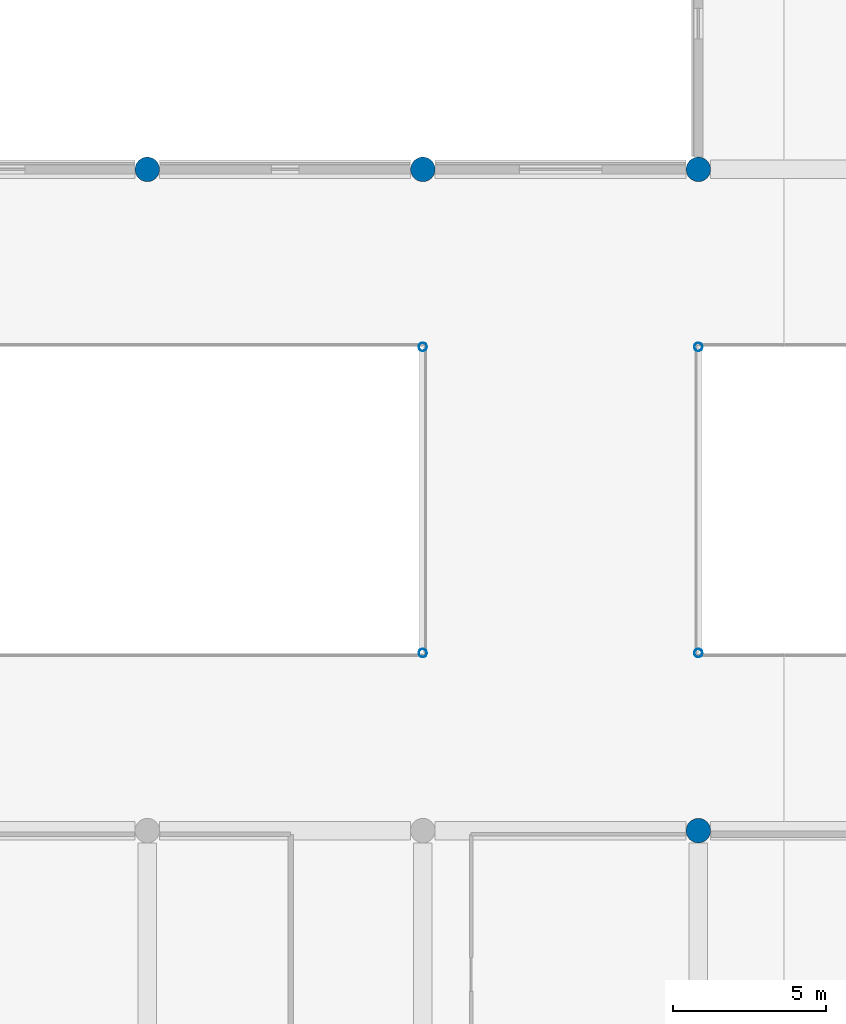
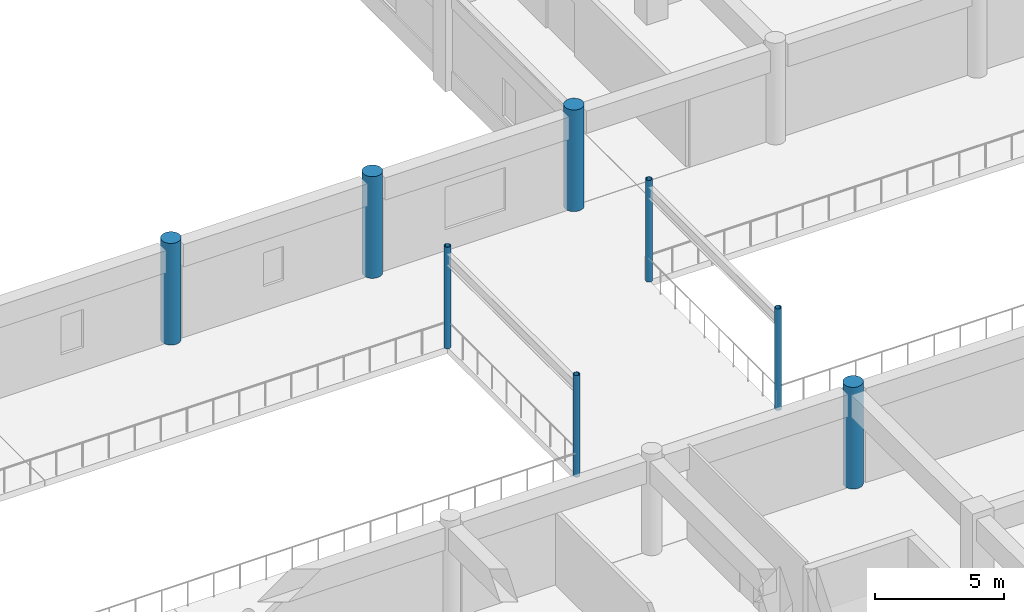
# One storey, part 2 of 86: 8 columns.
"""IFC4 building model written with IfcOpenShell, lengths in metres."""

import ifcopenshell
import ifcopenshell.guid

model = None  # the IFC model being written
_history = None  # IfcOwnerHistory: only IFC2X3 demands one
_inside = {}  # id of a spatial element -> (the spatial element, [elements in it])
_under = {}  # id of a project, library or spatial element -> (it, [spatial elements below it])
_declared = {}  # id of a project -> (the project, [libraries it declares])
_typed = {}  # id of a type object -> (the type object, [elements of that type])
_made_of = {}  # id of a material, layer set ... -> (it, [elements and type objects made of it])


def new_model(schema):
    """Start an empty IFC model of exactly this schema.

    Asked for "IFC4X3", IfcOpenShell would pick the latest addendum, in which some entities
    have other attributes; the version numbers below select the first issue.
    IFC2X3 requires an IfcOwnerHistory on every rooted entity: one is made here for all.
    """
    global model, _history
    if schema == "IFC4X3":
        model = ifcopenshell.file(schema_version=(4, 3, 0, 0))
    else:
        model = ifcopenshell.file(schema=schema)
    _inside.clear()
    _under.clear()
    _declared.clear()
    _typed.clear()
    _made_of.clear()
    _history = None
    if model.schema == "IFC2X3":
        org = make("IfcOrganization", Name="unknown")
        user = make(
            "IfcPersonAndOrganization",
            ThePerson=make("IfcPerson", FamilyName="unknown"),
            TheOrganization=org,
        )
        app = make(
            "IfcApplication",
            ApplicationDeveloper=org,
            Version="unknown",
            ApplicationFullName="unknown",
            ApplicationIdentifier="unknown",
        )
        _history = make(
            "IfcOwnerHistory",
            OwningUser=user,
            OwningApplication=app,
            ChangeAction="ADDED",
            CreationDate=0,
        )
    return model


def make(cls, **values):
    """One entity of the class cls with the attributes given. An attribute that is None is left unset."""
    return model.create_entity(
        cls, **{name: value for name, value in values.items() if value is not None}
    )


def rooted(cls, **values):
    """An entity with a GlobalId (a new one), such as an element, a storey or a relation."""
    return make(cls, GlobalId=ifcopenshell.guid.new(), OwnerHistory=_history, **values)


def si_unit(unit_type, name, prefix=None):
    """IfcSIUnit, for example si_unit("LENGTHUNIT", "METRE", prefix="MILLI")."""
    return make("IfcSIUnit", UnitType=unit_type, Prefix=prefix, Name=name)


def assignment(units):
    """IfcUnitAssignment: the units of a project."""
    return None if units is None else make("IfcUnitAssignment", Units=units)


def point(xyz):
    """IfcCartesianPoint."""
    return None if xyz is None else make("IfcCartesianPoint", Coordinates=xyz)


def direction(xyz):
    """IfcDirection."""
    return None if xyz is None else make("IfcDirection", DirectionRatios=xyz)


def frame(location, z_axis=None, x_axis=None):
    """IfcAxis2Placement3D, a coordinate frame: its origin and axes. An axis left out is left unset."""
    return make(
        "IfcAxis2Placement3D",
        Location=point(location),
        Axis=direction(z_axis),
        RefDirection=direction(x_axis),
    )


def frame_2d(location, x_axis=None):
    """IfcAxis2Placement2D, a coordinate frame in the plane: its origin and x axis."""
    return make(
        "IfcAxis2Placement2D", Location=point(location), RefDirection=direction(x_axis)
    )


def origin():
    """The frame at (0, 0, 0) with its axes left unset."""
    return frame((0.0, 0.0, 0.0))


def origin_2d():
    """The frame at (0, 0) in the plane with its x axis left unset."""
    return frame_2d((0.0, 0.0))


def place(relative_to, where):
    """IfcLocalPlacement: puts the frame where relative to a parent placement (None: the world)."""
    return make(
        "IfcLocalPlacement", PlacementRelTo=relative_to, RelativePlacement=where
    )


def context(
    kind, dimensions, precision=None, world=None, true_north=None, identifier=None
):
    """IfcGeometricRepresentationContext, for example the 3D "Model" context."""
    return make(
        "IfcGeometricRepresentationContext",
        ContextIdentifier=identifier,
        ContextType=kind,
        CoordinateSpaceDimension=dimensions,
        Precision=precision,
        WorldCoordinateSystem=world,
        TrueNorth=true_north,
    )


def subcontext(parent, identifier, kind, view, scale=None):
    """IfcGeometricRepresentationSubContext, for example "Body" below "Model"."""
    return make(
        "IfcGeometricRepresentationSubContext",
        ContextIdentifier=identifier,
        ContextType=kind,
        ParentContext=parent,
        TargetScale=scale,
        TargetView=view,
    )


def project(units=None, contexts=None):
    """IfcProject with its units and contexts."""
    return rooted(
        "IfcProject",
        Name="project",
        RepresentationContexts=contexts,
        UnitsInContext=assignment(units),
    )


def spatial(cls, under=None, at=None, **own):
    """A site, building, storey or space (cls), placed at a placement, below another one or the project."""
    s = rooted(cls, ObjectPlacement=at, **own)
    if under is not None:
        _under.setdefault(under.id(), (under, []))[1].append(s)
    return s


def profile(cls, at=None, kind="AREA", **sizes):
    """A parametric profile (cls). Its sizes go by their IFC names, for example OverallWidth=200.0."""
    return make(cls, ProfileType=kind, Position=at, **sizes)


def circle(**sizes):
    """IfcCircleProfileDef."""
    return profile("IfcCircleProfileDef", **sizes)


def hollow_circle(**sizes):
    """IfcCircleHollowProfileDef."""
    return profile("IfcCircleHollowProfileDef", **sizes)


def extrude(swept, where, along, depth):
    """IfcExtrudedAreaSolid: the profile swept, set in the frame where, extruded along a direction by depth."""
    return make(
        "IfcExtrudedAreaSolid",
        SweptArea=swept,
        Position=where,
        ExtrudedDirection=direction(along),
        Depth=depth,
    )


def shape(context_of_items, identifier, shape_type, items):
    """IfcShapeRepresentation: the items that make up one representation, for example the "Body"."""
    return make(
        "IfcShapeRepresentation",
        ContextOfItems=context_of_items,
        RepresentationIdentifier=identifier,
        RepresentationType=shape_type,
        Items=items,
    )


def material(Name=None, Category=None):
    """IfcMaterial."""
    return make("IfcMaterial", Name=Name, Category=Category)


def material_profile(
    of_material, cross_section, Name=None, Category=None, Priority=None
):
    """IfcMaterialProfile: a cross section and its material."""
    return make(
        "IfcMaterialProfile",
        Name=Name,
        Material=of_material,
        Profile=cross_section,
        Priority=Priority,
        Category=Category,
    )


def profile_set(profiles, Name=None, composite=None):
    """IfcMaterialProfileSet."""
    return make(
        "IfcMaterialProfileSet",
        Name=Name,
        MaterialProfiles=profiles,
        CompositeProfile=composite,
    )


def made_of(thing, what):
    """Note that an element or type object is made of a material, layer set ...; save() writes the relation."""
    if what is not None:
        _made_of.setdefault(what.id(), (what, []))[1].append(thing)
    return thing


def type_object(cls, material=None, **own):
    """A type object (cls), such as IfcWallType, which elements share."""
    return made_of(rooted(cls, **own), material)


def element(
    cls,
    number,
    at=None,
    inside=None,
    cuts=None,
    type_object=None,
    material=None,
    context=None,
    identifier="Body",
    shape_type=None,
    held_by="IfcProductDefinitionShape",
    body=None,
    shapes=None,
    **own,
):
    """One element of the class cls, such as IfcWall. Its Tag is "e" and its number.

    at: its placement. inside: the storey or other place that contains it. cuts: it is an
    opening in that element (IfcRelVoidsElement). A single representation is given by context,
    identifier, shape_type and body (its items); several are given by shapes. held_by: the class
    of the entity that holds the representations. save() writes the other relations.
    """
    e = rooted(cls, Tag="e%d" % number, ObjectPlacement=at, **own)
    if body is not None:
        shapes = [shape(context, identifier, shape_type, body)]
    if shapes is not None:
        e.Representation = make(held_by, Representations=shapes)
    if inside is not None:
        _inside.setdefault(inside.id(), (inside, []))[1].append(e)
    if cuts is not None:
        rooted(
            "IfcRelVoidsElement", RelatingBuildingElement=cuts, RelatedOpeningElement=e
        )
    if type_object is not None:
        _typed.setdefault(type_object.id(), (type_object, []))[1].append(e)
    return made_of(e, material)


def aggregate(whole, parts):
    """IfcRelAggregates: a whole, such as a stair, and the parts it consists of."""
    return rooted("IfcRelAggregates", RelatingObject=whole, RelatedObjects=parts)


def save(model, path):
    """Write the relations noted so far, then the file.

    IfcRelAggregates (storeys below a building ...), IfcRelContainedInSpatialStructure (elements
    in a storey), IfcRelDefinesByType, IfcRelAssociatesMaterial and IfcRelDeclares: one each for
    every whole, place, type object, material and project.
    """
    for whole, parts in _under.values():
        aggregate(whole, parts)
    for where, things in _inside.values():
        rooted(
            "IfcRelContainedInSpatialStructure",
            RelatedElements=things,
            RelatingStructure=where,
        )
    for kind, things in _typed.values():
        rooted("IfcRelDefinesByType", RelatedObjects=things, RelatingType=kind)
    for what, things in _made_of.values():
        rooted("IfcRelAssociatesMaterial", RelatedObjects=things, RelatingMaterial=what)
    for by, libraries in _declared.values():
        rooted("IfcRelDeclares", RelatingContext=by, RelatedDefinitions=libraries)
    model.write(path)


model = new_model("IFC4")

# Units and contexts
model_context = context("Model", 3, precision=1e-05, world=origin(), true_north=direction((0.0, 1.0)))
body_context = subcontext(model_context, "Body", "Model", "MODEL_VIEW")
ifc_project = project(units=[si_unit("LENGTHUNIT", "METRE"), si_unit("AREAUNIT", "SQUARE_METRE"), si_unit("VOLUMEUNIT", "CUBIC_METRE"), si_unit("PLANEANGLEUNIT", "RADIAN"), si_unit("MASSUNIT", "GRAM", prefix="KILO")], contexts=[model_context])

# Site, building, storey
site_placement = place(None, origin())
site = spatial("IfcSite", under=ifc_project, at=site_placement, CompositionType="ELEMENT")
building_placement = place(site_placement, origin())
building = spatial("IfcBuilding", under=site, at=building_placement, Name="Cendralis Terraced Arcade", CompositionType="ELEMENT")
storey_placement = place(building_placement, frame((0.0, 0.0, 5.39990234375)))
storey = spatial("IfcBuildingStorey", under=building, at=storey_placement, Name="L01", CompositionType="ELEMENT", Elevation=5.39990234375)

# Columns
ifc_material_1 = material(Name="Concrete f'c 42 MPa", Category="concrete")
ifc_material_profile_1 = material_profile(ifc_material_1, circle(Radius=0.39990234375, at=origin_2d()), Name="RC-COL-D800", Category="LoadBearing")
ifc_profile_set_1 = profile_set([ifc_material_profile_1], Name="Concrete f'c 42 MPa")
column_type_1 = type_object("IfcColumnType", Name="COL-D800", PredefinedType="COLUMN", material=ifc_profile_set_1)
for number, where, z_axis, x_axis, name in (
    (1, (103.199951171875, 60.0, 0.0), (0.0, 0.0, 1.0), (1.0, 0.0, 0.0), "Reinforced Concrete Column 12-G (L01)"),
    (2, (112.199951171875, 60.0, 0.0), (0.0, 0.0, 1.0), (1.0, 0.0, 0.0), "Reinforced Concrete Column 13-G (L01)"),
    (3, (121.199951171875, 38.39990234375, 0.0), (0.0, 0.0, 1.0), (1.0, 0.0, 0.0), "Reinforced Concrete Column 14-E (L01)"),
    (4, (121.199951171875, 60.0, 0.0), (0.0, 0.0, 1.0), (1.0, 0.0, 0.0), "Reinforced Concrete Column 14-G (L01)"),
):
    element("IfcColumn", number, at=place(storey_placement, frame(where, z_axis=z_axis, x_axis=x_axis)), inside=storey, type_object=column_type_1, Name=name, PredefinedType="COLUMN", context=body_context, shape_type="SweptSolid", body=[
        extrude(circle(Radius=0.39990234375, at=origin_2d()), origin(), (0.0, 0.0, 1.0), 4.800048828125),
    ])
ifc_material_2 = material(Name="Steel ASTM A572 Grade 50", Category="steel")
ifc_material_profile_2 = material_profile(ifc_material_2, hollow_circle(Radius=0.136474609375, WallThickness=0.010009765625, at=origin_2d()), Name="CHS273X10", Category="LoadBearing")
ifc_profile_set_2 = profile_set([ifc_material_profile_2], Name="Steel ASTM A572 Grade 50")
column_type_2 = type_object("IfcColumnType", Name="COL-STL-CHS273", PredefinedType="COLUMN", material=ifc_profile_set_2)
for number, where, z_axis, x_axis, name in (
    (5, (112.199951171875, 44.199951171875, 0.0), (0.0, 0.0, 1.0), (1.0, 0.0, 0.0), "Arcade Bridge Steel Tubular Column COL-BRG-L01-112-44"),
    (6, (121.199951171875, 44.199951171875, 0.0), (0.0, 0.0, 1.0), (1.0, 0.0, 0.0), "Arcade Bridge Steel Tubular Column COL-BRG-L01-121-44"),
    (7, (112.199951171875, 54.199951171875, 0.0), (0.0, 0.0, 1.0), (1.0, 0.0, 0.0), "Arcade Bridge Steel Tubular Column COL-BRG-L01-112-54"),
    (8, (121.199951171875, 54.199951171875, 0.0), (0.0, 0.0, 1.0), (1.0, 0.0, 0.0), "Arcade Bridge Steel Tubular Column COL-BRG-L01-121-54"),
):
    element("IfcColumn", number, at=place(storey_placement, frame(where, z_axis=z_axis, x_axis=x_axis)), inside=storey, type_object=column_type_2, Name=name, PredefinedType="COLUMN", context=body_context, shape_type="SweptSolid", body=[
        extrude(hollow_circle(Radius=0.136474609375, WallThickness=0.010009765625, at=origin_2d()), origin(), (0.0, 0.0, 1.0), 4.800048828125),
    ])

save(model, "model.ifc")
